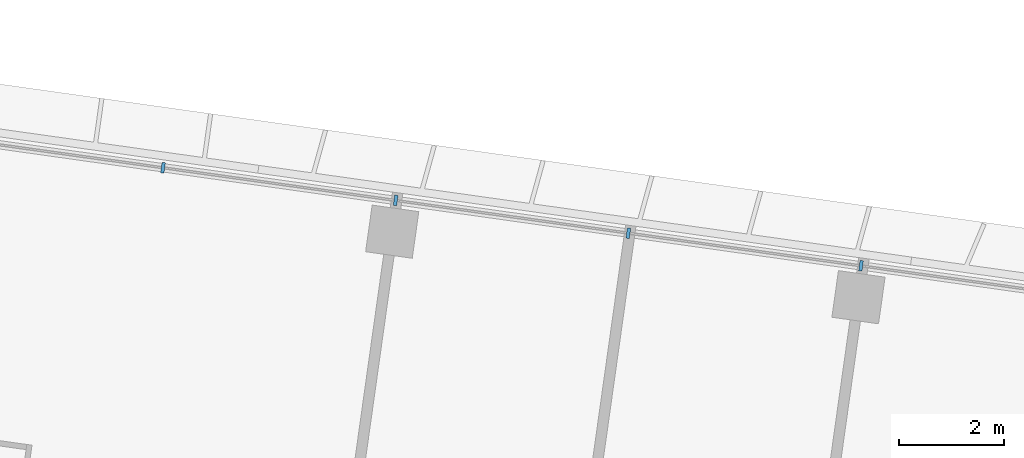
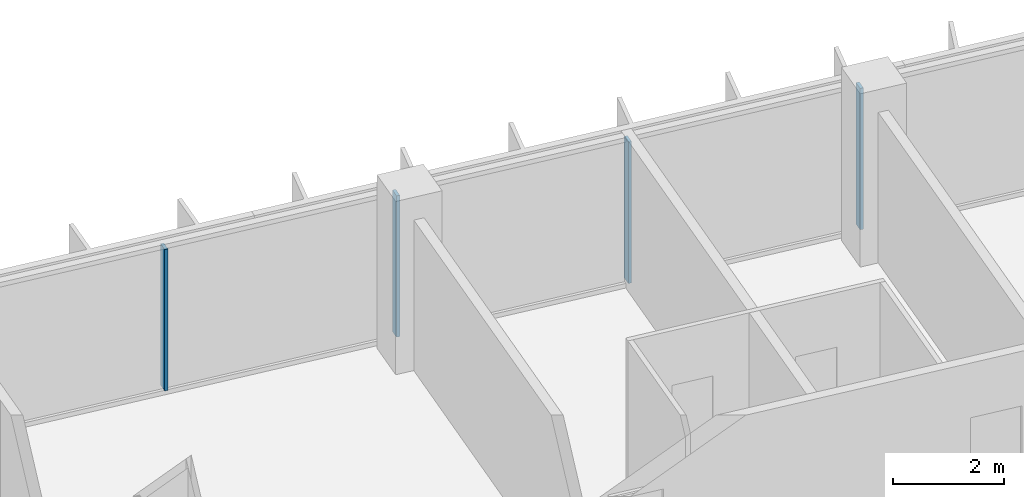
# One storey, part 7 of 34: 4 members, 1 element without a shape of its own.
"""IFC4 building model written with IfcOpenShell, lengths in metres."""

from ifc_helpers import new_model, si_unit, direction, frame, origin, origin_2d, place, context, subcontext, project, spatial, rectangle, extrude, material, material_profile, profile_set, type_object, element, aggregate, save


model = new_model("IFC4")

# Units and contexts
model_context = context("Model", 3, precision=1e-05, world=origin(), true_north=direction((0.0, 1.0)))
body_context = subcontext(model_context, "Body", "Model", "MODEL_VIEW")
ifc_project = project(units=[si_unit("LENGTHUNIT", "METRE"), si_unit("AREAUNIT", "SQUARE_METRE"), si_unit("VOLUMEUNIT", "CUBIC_METRE"), si_unit("PLANEANGLEUNIT", "RADIAN"), si_unit("MASSUNIT", "GRAM", prefix="KILO")], contexts=[model_context])

# Site, building, storey
site_placement = place(None, origin())
site = spatial("IfcSite", under=ifc_project, at=site_placement, CompositionType="ELEMENT")
building_placement = place(site_placement, origin())
building = spatial("IfcBuilding", under=site, at=building_placement, Name="Mirante Cascada Hotel Towers", CompositionType="ELEMENT")
storey_placement = place(building_placement, frame((0.0, 0.0, 148.1)))
storey = spatial("IfcBuildingStorey", under=building, at=storey_placement, Name="L34", CompositionType="ELEMENT", Elevation=148.1)

# Curtain wall, members
ifc_material_1 = material(Name="Aluminium mullion and transom frame with clear laminated glass", Category="aluminium")
curtain_wall_type = type_object("IfcCurtainWallType", Name="Ribbon curtain wall ECW1", PredefinedType="NOTDEFINED", material=ifc_material_1)
curtain_wall_placement = place(storey_placement, origin())
curtain_wall = element("IfcCurtainWall", 1, at=curtain_wall_placement, inside=storey, type_object=curtain_wall_type, Name="Front ribbon wall T1 L34", PredefinedType="NOTDEFINED")
ifc_material_2 = material(Name="Anodised aluminium extrusion", Category="aluminium")
ifc_material_profile = material_profile(ifc_material_2, rectangle(XDim=0.2, YDim=0.065, at=origin_2d()), Name="ECW1 MULLION 65x200")
ifc_profile_set = profile_set([ifc_material_profile], Name="Anodised aluminium extrusion")
member_type = type_object("IfcMemberType", Name="ECW1 mullion 65x200", PredefinedType="MULLION", material=ifc_profile_set)
member_1_placement = place(storey_placement, frame((-58.5788, 21.0517, 0.1), z_axis=(0.0, 0.0, 1.0), x_axis=(0.1391731, 0.9902681, 0.0)))
member_1 = element("IfcMember", 2, at=member_1_placement, type_object=member_type, Name="ECW1 mullion 9", PredefinedType="MULLION", context=body_context, shape_type="SweptSolid", body=[
    extrude(rectangle(XDim=0.2, YDim=0.065, at=origin_2d()), origin(), (0.0, 0.0, 1.0), 3.1),
])
member_2_placement = place(storey_placement, frame((-54.1314, 20.4267, 0.1), z_axis=(0.0, 0.0, 1.0), x_axis=(0.1391731, 0.9902681, 0.0)))
member_2 = element("IfcMember", 3, at=member_2_placement, type_object=member_type, Name="ECW1 mullion 10", PredefinedType="MULLION", context=body_context, shape_type="SweptSolid", body=[
    extrude(rectangle(XDim=0.2, YDim=0.065, at=origin_2d()), origin(), (0.0, 0.0, 1.0), 3.1),
])
member_3_placement = place(storey_placement, frame((-49.684, 19.8017, 0.1), z_axis=(0.0, 0.0, 1.0), x_axis=(0.1391731, 0.9902681, 0.0)))
member_3 = element("IfcMember", 4, at=member_3_placement, type_object=member_type, Name="ECW1 mullion 11", PredefinedType="MULLION", context=body_context, shape_type="SweptSolid", body=[
    extrude(rectangle(XDim=0.2, YDim=0.065, at=origin_2d()), origin(), (0.0, 0.0, 1.0), 3.1),
])
member_4_placement = place(storey_placement, frame((-45.2366, 19.1766, 0.1), z_axis=(0.0, 0.0, 1.0), x_axis=(0.1391731, 0.9902681, 0.0)))
member_4 = element("IfcMember", 5, at=member_4_placement, type_object=member_type, Name="ECW1 mullion 12", PredefinedType="MULLION", context=body_context, shape_type="SweptSolid", body=[
    extrude(rectangle(XDim=0.2, YDim=0.065, at=origin_2d()), origin(), (0.0, 0.0, 1.0), 3.1),
])
aggregate(curtain_wall, [member_1, member_2, member_3, member_4])

save(model, "model.ifc")
